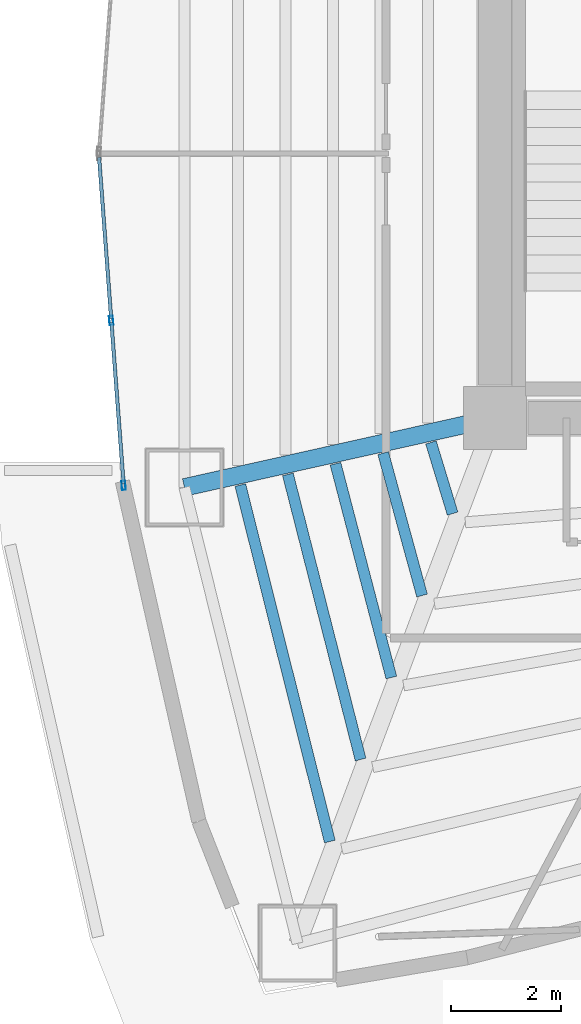
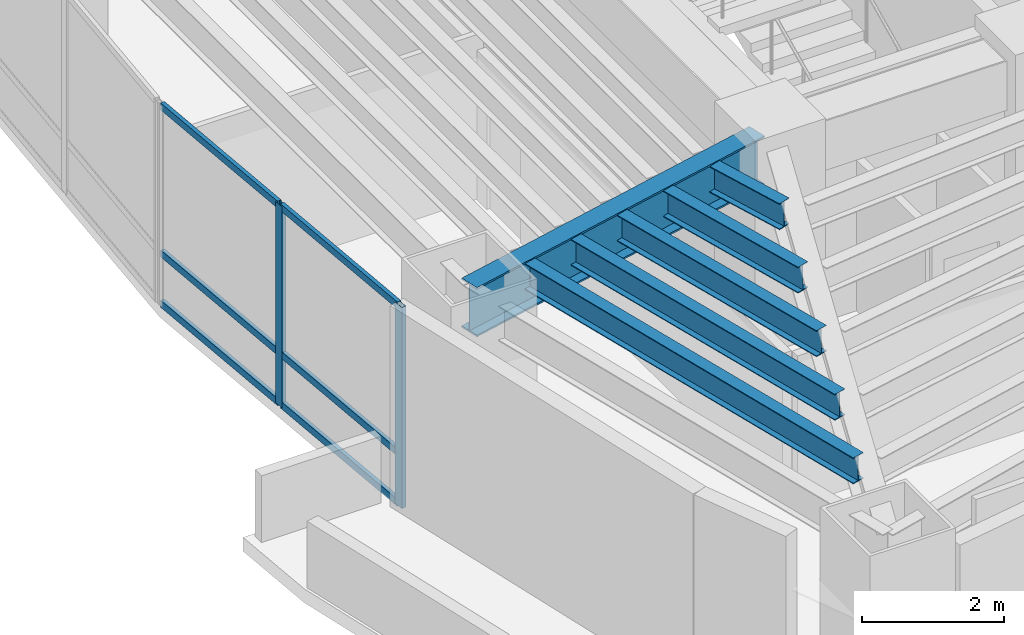
# One storey, part 3 of 17: 8 members, 6 beams, 1 element without a shape of its own.
"""IFC4 building model written with IfcOpenShell, lengths in metres."""

from ifc_helpers import new_model, si_unit, direction, frame, origin, origin_2d, place, context, subcontext, project, spatial, hollow_rectangle, i_section, extrude, material, layer, layer_set, material_profile, profile_set, type_object, element, aggregate, save


model = new_model("IFC4")

# Units and contexts
model_context = context("Model", 3, precision=1e-05, world=origin(), true_north=direction((0.0, 1.0)))
body_context = subcontext(model_context, "Body", "Model", "MODEL_VIEW")
ifc_project = project(units=[si_unit("LENGTHUNIT", "METRE"), si_unit("AREAUNIT", "SQUARE_METRE"), si_unit("VOLUMEUNIT", "CUBIC_METRE"), si_unit("PLANEANGLEUNIT", "RADIAN"), si_unit("MASSUNIT", "GRAM", prefix="KILO")], contexts=[model_context])

# Site, building, storey
site_placement = place(None, origin())
site = spatial("IfcSite", under=ifc_project, at=site_placement, CompositionType="ELEMENT")
building_placement = place(site_placement, origin())
building = spatial("IfcBuilding", under=site, at=building_placement, Name="Menara Vayukalpa", CompositionType="ELEMENT")
storey_placement = place(building_placement, frame((0.0, 0.0, 27.60009765625)))
storey = spatial("IfcBuildingStorey", under=building, at=storey_placement, Name="L05", CompositionType="ELEMENT", Elevation=27.60009765625)

# Beams
ifc_material_1 = material(Name="Steel S355", Category="steel")
ifc_material_profile_1 = material_profile(ifc_material_1, i_section(OverallWidth=0.320068359375, OverallDepth=0.85009765625, WebThickness=0.01611328125, FlangeThickness=0.030029296875, at=origin_2d()), Name="WF 850x320x16x30")
ifc_profile_set_1 = profile_set([ifc_material_profile_1], Name="Steel S355")
beam_type_1 = type_object("IfcBeamType", Name="BM-PG2", PredefinedType="BEAM", material=ifc_profile_set_1)
beam_1_placement = place(storey_placement, frame((17.555908203125, 17.1455078125, 3.044921875), z_axis=(-0.975920137818, -0.218128138031, 0.0), x_axis=(0.218128138031, -0.975920137818, 0.0)))
element("IfcBeam", 1, at=beam_1_placement, inside=storey, type_object=beam_type_1, Name="L05 Primary Radial Girder RG06", PredefinedType="BEAM", context=body_context, shape_type="SweptSolid", body=[
    extrude(i_section(OverallWidth=0.320068359375, OverallDepth=0.85009765625, WebThickness=0.01611328125, FlangeThickness=0.030029296875, at=origin_2d()), origin(), (0.0, 0.0, 1.0), 5.524658203125),
])
ifc_material_2 = material(Name="Steel S355", Category="steel")
ifc_material_profile_2 = material_profile(ifc_material_2, i_section(OverallWidth=0.199951171875, OverallDepth=0.449951171875, WebThickness=0.009033203125, FlangeThickness=0.013916015625, at=origin_2d()), Name="WF 450x200x9x14")
ifc_profile_set_2 = profile_set([ifc_material_profile_2], Name="Steel S355")
beam_type_2 = type_object("IfcBeamType", Name="BM-SJ1", PredefinedType="JOIST", material=ifc_profile_set_2)
beam_2_placement = place(storey_placement, frame((16.6376953125, 16.75634765625, 3.244873046875), z_axis=(0.291010568606, -0.956719838281, 0.0), x_axis=(0.956719838281, 0.291010568606, 0.0)))
element("IfcBeam", 2, at=beam_2_placement, inside=storey, type_object=beam_type_2, Name="L05 Secondary Floor Joist SJ06-1", PredefinedType="JOIST", context=body_context, shape_type="SweptSolid", body=[
    extrude(i_section(OverallWidth=0.199951171875, OverallDepth=0.449951171875, WebThickness=0.009033203125, FlangeThickness=0.013916015625, at=origin_2d()), origin(), (0.0, 0.0, 1.0), 1.3505859375),
])
beam_3_placement = place(storey_placement, frame((15.770263671875, 16.56201171875, 3.244873046875), z_axis=(0.263618546233, -0.964627006714, 0.0), x_axis=(0.964627006714, 0.263618546233, 0.0)))
element("IfcBeam", 3, at=beam_3_placement, inside=storey, type_object=beam_type_2, Name="L05 Secondary Floor Joist SJ06-2", PredefinedType="JOIST", context=body_context, shape_type="SweptSolid", body=[
    extrude(i_section(OverallWidth=0.199951171875, OverallDepth=0.449951171875, WebThickness=0.009033203125, FlangeThickness=0.013916015625, at=origin_2d()), origin(), (0.0, 0.0, 1.0), 2.67919921875),
])
beam_4_placement = place(storey_placement, frame((14.905517578125, 16.368896484375, 3.244873046875), z_axis=(0.25283833468, -0.967508540798, 0.0), x_axis=(0.967508540798, 0.25283833468, 0.0)))
element("IfcBeam", 4, at=beam_4_placement, inside=storey, type_object=beam_type_2, Name="L05 Secondary Floor Joist SJ06-3", PredefinedType="JOIST", context=body_context, shape_type="SweptSolid", body=[
    extrude(i_section(OverallWidth=0.199951171875, OverallDepth=0.449951171875, WebThickness=0.009033203125, FlangeThickness=0.013916015625, at=origin_2d()), origin(), (0.0, 0.0, 1.0), 4.00927734375),
])
beam_5_placement = place(storey_placement, frame((14.0419921875, 16.17578125, 3.244873046875), z_axis=(0.247105572938, -0.968988563309, 0.0), x_axis=(0.968988563309, 0.247105572938, 0.0)))
element("IfcBeam", 5, at=beam_5_placement, inside=storey, type_object=beam_type_2, Name="L05 Secondary Floor Joist SJ06-4", PredefinedType="JOIST", context=body_context, shape_type="SweptSolid", body=[
    extrude(i_section(OverallWidth=0.199951171875, OverallDepth=0.449951171875, WebThickness=0.009033203125, FlangeThickness=0.013916015625, at=origin_2d()), origin(), (0.0, 0.0, 1.0), 5.339111328125),
])
beam_6_placement = place(storey_placement, frame((13.1787109375, 15.982666015625, 3.244873046875), z_axis=(0.243517460774, -0.96989651319, 0.0), x_axis=(0.96989651319, 0.243517460774, 0.0)))
element("IfcBeam", 6, at=beam_6_placement, inside=storey, type_object=beam_type_2, Name="L05 Secondary Floor Joist SJ06-5", PredefinedType="JOIST", context=body_context, shape_type="SweptSolid", body=[
    extrude(i_section(OverallWidth=0.199951171875, OverallDepth=0.449951171875, WebThickness=0.009033203125, FlangeThickness=0.013916015625, at=origin_2d()), origin(), (0.0, 0.0, 1.0), 6.6689453125),
])

# Curtain wall, members
ifc_material_3 = material(Name="Anodised Terracotta Aluminium Alloy 6063-T6", Category="masonry")
ifc_layer = layer(ifc_material_3, 0.1650390625)
ifc_layer_set = layer_set([ifc_layer], Name="Anodised Terracotta Aluminium Alloy 6063-T6")
curtain_wall_type = type_object("IfcCurtainWallType", Name="CW-CW2", PredefinedType="USERDEFINED", material=ifc_layer_set)
curtain_wall_placement = place(storey_placement, origin())
curtain_wall = element("IfcCurtainWall", 7, at=curtain_wall_placement, inside=storey, type_object=curtain_wall_type, Name="L05 Low Rise Terracotta Ribbon Curtain Wall CW2 11", ObjectType="UNITISED", PredefinedType="USERDEFINED")
ifc_material_4 = material(Name="Anodised Terracotta Aluminium Alloy 6063-T6", Category="masonry")
ifc_material_profile_3 = material_profile(ifc_material_4, hollow_rectangle(XDim=0.070068359375, YDim=0.1650390625, WallThickness=0.00390625, at=origin_2d()), Name="ALU 70x165x4")
ifc_profile_set_3 = profile_set([ifc_material_profile_3], Name="Anodised Terracotta Aluminium Alloy 6063-T6")
member_type_1 = type_object("IfcMemberType", Name="CWM-CW2", PredefinedType="MULLION", material=ifc_profile_set_3)
member_1_placement = place(storey_placement, frame((10.8369140625, 18.97021484375, 0.0), z_axis=(0.0, 0.0, 1.0), x_axis=(0.997198941676, 0.074794857576, 0.0)))
member_1 = element("IfcMember", 8, at=member_1_placement, type_object=member_type_1, Name="CW2 mullion 2", PredefinedType="MULLION", context=body_context, shape_type="SweptSolid", body=[
    extrude(hollow_rectangle(XDim=0.070068359375, YDim=0.1650390625, WallThickness=0.00390625, at=origin_2d()), origin(), (0.0, 0.0, 1.0), 3.469970703125),
])
member_2_placement = place(storey_placement, frame((11.0615234375, 15.975341796875, 0.0), z_axis=(0.0, 0.0, 1.0), x_axis=(0.997198941676, 0.074794857576, 0.0)))
member_2 = element("IfcMember", 9, at=member_2_placement, type_object=member_type_1, Name="CW2 mullion 3", PredefinedType="MULLION", context=body_context, shape_type="SweptSolid", body=[
    extrude(hollow_rectangle(XDim=0.070068359375, YDim=0.1650390625, WallThickness=0.00390625, at=origin_2d()), origin(), (0.0, 0.0, 1.0), 3.469970703125),
])
ifc_material_5 = material(Name="Anodised Terracotta Aluminium Alloy 6063-T6", Category="masonry")
ifc_material_profile_4 = material_profile(ifc_material_5, hollow_rectangle(XDim=0.06494140625, YDim=0.1201171875, WallThickness=0.00341796875, at=origin_2d()), Name="ALU 65x120x3.5")
ifc_profile_set_4 = profile_set([ifc_material_profile_4], Name="Anodised Terracotta Aluminium Alloy 6063-T6")
member_type_2 = type_object("IfcMemberType", Name="CWT-CW2", PredefinedType="USERDEFINED", material=ifc_profile_set_4)
member_3_placement = place(storey_placement, frame((10.614990234375, 21.93017578125, 0.032470703125), z_axis=(0.074742357441, -0.997202878057, 0.0), x_axis=(0.997202878057, 0.074742357441, 0.0)))
member_3 = element("IfcMember", 10, at=member_3_placement, type_object=member_type_2, Name="CW2 transom 1.1", ObjectType="TRANSOM", PredefinedType="USERDEFINED", context=body_context, shape_type="SweptSolid", body=[
    extrude(hollow_rectangle(XDim=0.06494140625, YDim=0.1201171875, WallThickness=0.00341796875, at=origin_2d()), origin(), (0.0, 0.0, 1.0), 2.933349609375),
])
member_4_placement = place(storey_placement, frame((10.614990234375, 21.93017578125, 0.89990234375), z_axis=(0.074742357441, -0.997202878057, 0.0), x_axis=(0.997202878057, 0.074742357441, 0.0)))
member_4 = element("IfcMember", 11, at=member_4_placement, type_object=member_type_2, Name="CW2 transom 1.2", ObjectType="TRANSOM", PredefinedType="USERDEFINED", context=body_context, shape_type="SweptSolid", body=[
    extrude(hollow_rectangle(XDim=0.06494140625, YDim=0.1201171875, WallThickness=0.00341796875, at=origin_2d()), origin(), (0.0, 0.0, 1.0), 2.933349609375),
])
member_5_placement = place(storey_placement, frame((10.614990234375, 21.93017578125, 3.4375), z_axis=(0.074742357441, -0.997202878057, 0.0), x_axis=(0.997202878057, 0.074742357441, 0.0)))
member_5 = element("IfcMember", 12, at=member_5_placement, type_object=member_type_2, Name="CW2 transom 1.3", ObjectType="TRANSOM", PredefinedType="USERDEFINED", context=body_context, shape_type="SweptSolid", body=[
    extrude(hollow_rectangle(XDim=0.06494140625, YDim=0.1201171875, WallThickness=0.00341796875, at=origin_2d()), origin(), (0.0, 0.0, 1.0), 2.933349609375),
])
member_6_placement = place(storey_placement, frame((10.839599609375, 18.935302734375, 0.032470703125), z_axis=(0.074825123723, -0.997196671103, 0.0), x_axis=(0.997196671103, 0.074825123723, 0.0)))
member_6 = element("IfcMember", 13, at=member_6_placement, type_object=member_type_2, Name="CW2 transom 2.1", ObjectType="TRANSOM", PredefinedType="USERDEFINED", context=body_context, shape_type="SweptSolid", body=[
    extrude(hollow_rectangle(XDim=0.06494140625, YDim=0.1201171875, WallThickness=0.00341796875, at=origin_2d()), origin(), (0.0, 0.0, 1.0), 2.933349609375),
])
member_7_placement = place(storey_placement, frame((10.839599609375, 18.935302734375, 0.89990234375), z_axis=(0.074825123723, -0.997196671103, 0.0), x_axis=(0.997196671103, 0.074825123723, 0.0)))
member_7 = element("IfcMember", 14, at=member_7_placement, type_object=member_type_2, Name="CW2 transom 2.2", ObjectType="TRANSOM", PredefinedType="USERDEFINED", context=body_context, shape_type="SweptSolid", body=[
    extrude(hollow_rectangle(XDim=0.06494140625, YDim=0.1201171875, WallThickness=0.00341796875, at=origin_2d()), origin(), (0.0, 0.0, 1.0), 2.933349609375),
])
member_8_placement = place(storey_placement, frame((10.839599609375, 18.935302734375, 3.4375), z_axis=(0.074825123723, -0.997196671103, 0.0), x_axis=(0.997196671103, 0.074825123723, 0.0)))
member_8 = element("IfcMember", 15, at=member_8_placement, type_object=member_type_2, Name="CW2 transom 2.3", ObjectType="TRANSOM", PredefinedType="USERDEFINED", context=body_context, shape_type="SweptSolid", body=[
    extrude(hollow_rectangle(XDim=0.06494140625, YDim=0.1201171875, WallThickness=0.00341796875, at=origin_2d()), origin(), (0.0, 0.0, 1.0), 2.933349609375),
])
aggregate(curtain_wall, [member_1, member_2, member_3, member_4, member_5, member_6, member_7, member_8])

save(model, "model.ifc")
